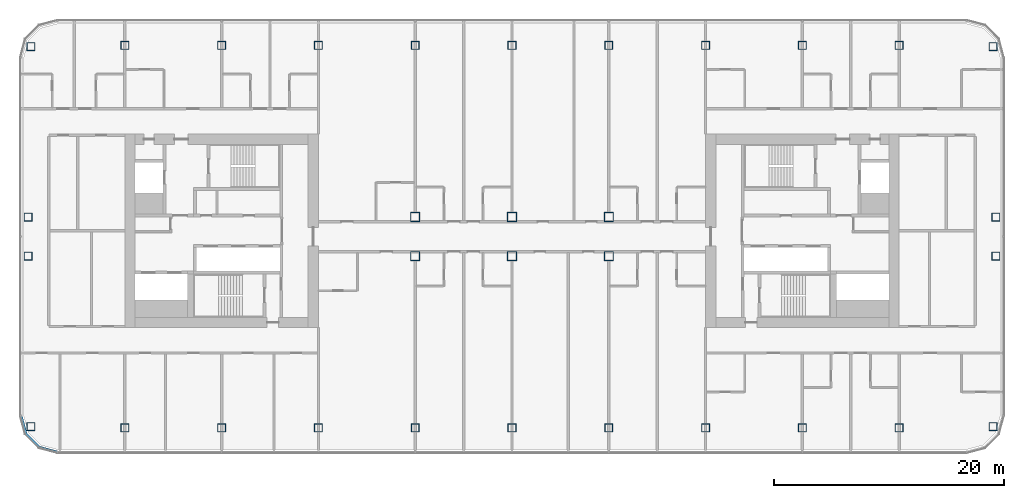
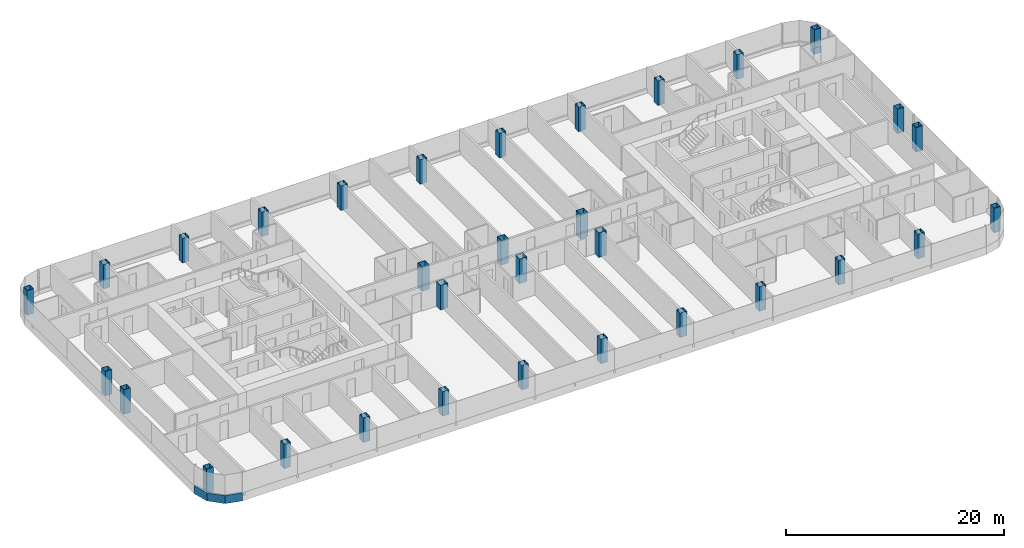
# One storey, part 1 of 26: 32 columns, 1 member, 1 element without a shape of its own.
"""IFC4 building model written with IfcOpenShell, lengths in metres."""

import ifcopenshell
import ifcopenshell.guid

model = None  # the IFC model being written
_history = None  # IfcOwnerHistory: only IFC2X3 demands one
_inside = {}  # id of a spatial element -> (the spatial element, [elements in it])
_under = {}  # id of a project, library or spatial element -> (it, [spatial elements below it])
_declared = {}  # id of a project -> (the project, [libraries it declares])
_typed = {}  # id of a type object -> (the type object, [elements of that type])
_made_of = {}  # id of a material, layer set ... -> (it, [elements and type objects made of it])


def new_model(schema):
    """Start an empty IFC model of exactly this schema.

    Asked for "IFC4X3", IfcOpenShell would pick the latest addendum, in which some entities
    have other attributes; the version numbers below select the first issue.
    IFC2X3 requires an IfcOwnerHistory on every rooted entity: one is made here for all.
    """
    global model, _history
    if schema == "IFC4X3":
        model = ifcopenshell.file(schema_version=(4, 3, 0, 0))
    else:
        model = ifcopenshell.file(schema=schema)
    _inside.clear()
    _under.clear()
    _declared.clear()
    _typed.clear()
    _made_of.clear()
    _history = None
    if model.schema == "IFC2X3":
        org = make("IfcOrganization", Name="unknown")
        user = make(
            "IfcPersonAndOrganization",
            ThePerson=make("IfcPerson", FamilyName="unknown"),
            TheOrganization=org,
        )
        app = make(
            "IfcApplication",
            ApplicationDeveloper=org,
            Version="unknown",
            ApplicationFullName="unknown",
            ApplicationIdentifier="unknown",
        )
        _history = make(
            "IfcOwnerHistory",
            OwningUser=user,
            OwningApplication=app,
            ChangeAction="ADDED",
            CreationDate=0,
        )
    return model


def make(cls, **values):
    """One entity of the class cls with the attributes given. An attribute that is None is left unset."""
    return model.create_entity(
        cls, **{name: value for name, value in values.items() if value is not None}
    )


def rooted(cls, **values):
    """An entity with a GlobalId (a new one), such as an element, a storey or a relation."""
    return make(cls, GlobalId=ifcopenshell.guid.new(), OwnerHistory=_history, **values)


def si_unit(unit_type, name, prefix=None):
    """IfcSIUnit, for example si_unit("LENGTHUNIT", "METRE", prefix="MILLI")."""
    return make("IfcSIUnit", UnitType=unit_type, Prefix=prefix, Name=name)


def assignment(units):
    """IfcUnitAssignment: the units of a project."""
    return None if units is None else make("IfcUnitAssignment", Units=units)


def point(xyz):
    """IfcCartesianPoint."""
    return None if xyz is None else make("IfcCartesianPoint", Coordinates=xyz)


def direction(xyz):
    """IfcDirection."""
    return None if xyz is None else make("IfcDirection", DirectionRatios=xyz)


def frame(location, z_axis=None, x_axis=None):
    """IfcAxis2Placement3D, a coordinate frame: its origin and axes. An axis left out is left unset."""
    return make(
        "IfcAxis2Placement3D",
        Location=point(location),
        Axis=direction(z_axis),
        RefDirection=direction(x_axis),
    )


def frame_2d(location, x_axis=None):
    """IfcAxis2Placement2D, a coordinate frame in the plane: its origin and x axis."""
    return make(
        "IfcAxis2Placement2D", Location=point(location), RefDirection=direction(x_axis)
    )


def origin():
    """The frame at (0, 0, 0) with its axes left unset."""
    return frame((0.0, 0.0, 0.0))


def origin_2d():
    """The frame at (0, 0) in the plane with its x axis left unset."""
    return frame_2d((0.0, 0.0))


def place(relative_to, where):
    """IfcLocalPlacement: puts the frame where relative to a parent placement (None: the world)."""
    return make(
        "IfcLocalPlacement", PlacementRelTo=relative_to, RelativePlacement=where
    )


def context(
    kind, dimensions, precision=None, world=None, true_north=None, identifier=None
):
    """IfcGeometricRepresentationContext, for example the 3D "Model" context."""
    return make(
        "IfcGeometricRepresentationContext",
        ContextIdentifier=identifier,
        ContextType=kind,
        CoordinateSpaceDimension=dimensions,
        Precision=precision,
        WorldCoordinateSystem=world,
        TrueNorth=true_north,
    )


def subcontext(parent, identifier, kind, view, scale=None):
    """IfcGeometricRepresentationSubContext, for example "Body" below "Model"."""
    return make(
        "IfcGeometricRepresentationSubContext",
        ContextIdentifier=identifier,
        ContextType=kind,
        ParentContext=parent,
        TargetScale=scale,
        TargetView=view,
    )


def project(units=None, contexts=None):
    """IfcProject with its units and contexts."""
    return rooted(
        "IfcProject",
        Name="project",
        RepresentationContexts=contexts,
        UnitsInContext=assignment(units),
    )


def spatial(cls, under=None, at=None, **own):
    """A site, building, storey or space (cls), placed at a placement, below another one or the project."""
    s = rooted(cls, ObjectPlacement=at, **own)
    if under is not None:
        _under.setdefault(under.id(), (under, []))[1].append(s)
    return s


def polyline(points):
    """IfcPolyline through the points."""
    return make("IfcPolyline", Points=[point(p) for p in points])


def profile(cls, at=None, kind="AREA", **sizes):
    """A parametric profile (cls). Its sizes go by their IFC names, for example OverallWidth=200.0."""
    return make(cls, ProfileType=kind, Position=at, **sizes)


def rectangle(**sizes):
    """IfcRectangleProfileDef."""
    return profile("IfcRectangleProfileDef", **sizes)


def hollow_rectangle(**sizes):
    """IfcRectangleHollowProfileDef."""
    return profile("IfcRectangleHollowProfileDef", **sizes)


def outline(outer, holes=None, kind="AREA"):
    """IfcArbitraryClosedProfileDef: a profile drawn as a closed curve; with holes, ...WithVoids."""
    if holes is None:
        return make("IfcArbitraryClosedProfileDef", ProfileType=kind, OuterCurve=outer)
    return make(
        "IfcArbitraryProfileDefWithVoids",
        ProfileType=kind,
        OuterCurve=outer,
        InnerCurves=holes,
    )


def extrude(swept, where, along, depth):
    """IfcExtrudedAreaSolid: the profile swept, set in the frame where, extruded along a direction by depth."""
    return make(
        "IfcExtrudedAreaSolid",
        SweptArea=swept,
        Position=where,
        ExtrudedDirection=direction(along),
        Depth=depth,
    )


def shape(context_of_items, identifier, shape_type, items):
    """IfcShapeRepresentation: the items that make up one representation, for example the "Body"."""
    return make(
        "IfcShapeRepresentation",
        ContextOfItems=context_of_items,
        RepresentationIdentifier=identifier,
        RepresentationType=shape_type,
        Items=items,
    )


def material(Name=None, Category=None):
    """IfcMaterial."""
    return make("IfcMaterial", Name=Name, Category=Category)


def layer(
    of_material, thickness, ventilated=None, Name=None, Category=None, Priority=None
):
    """IfcMaterialLayer: one layer of a wall or slab, of a material (None: an air gap)."""
    return make(
        "IfcMaterialLayer",
        Material=of_material,
        LayerThickness=thickness,
        IsVentilated=ventilated,
        Name=Name,
        Category=Category,
        Priority=Priority,
    )


def layer_set(layers, Name=None):
    """IfcMaterialLayerSet."""
    return make("IfcMaterialLayerSet", MaterialLayers=layers, LayerSetName=Name)


def material_profile(
    of_material, cross_section, Name=None, Category=None, Priority=None
):
    """IfcMaterialProfile: a cross section and its material."""
    return make(
        "IfcMaterialProfile",
        Name=Name,
        Material=of_material,
        Profile=cross_section,
        Priority=Priority,
        Category=Category,
    )


def profile_set(profiles, Name=None, composite=None):
    """IfcMaterialProfileSet."""
    return make(
        "IfcMaterialProfileSet",
        Name=Name,
        MaterialProfiles=profiles,
        CompositeProfile=composite,
    )


def made_of(thing, what):
    """Note that an element or type object is made of a material, layer set ...; save() writes the relation."""
    if what is not None:
        _made_of.setdefault(what.id(), (what, []))[1].append(thing)
    return thing


def type_object(cls, material=None, **own):
    """A type object (cls), such as IfcWallType, which elements share."""
    return made_of(rooted(cls, **own), material)


def element(
    cls,
    number,
    at=None,
    inside=None,
    cuts=None,
    type_object=None,
    material=None,
    context=None,
    identifier="Body",
    shape_type=None,
    held_by="IfcProductDefinitionShape",
    body=None,
    shapes=None,
    **own,
):
    """One element of the class cls, such as IfcWall. Its Tag is "e" and its number.

    at: its placement. inside: the storey or other place that contains it. cuts: it is an
    opening in that element (IfcRelVoidsElement). A single representation is given by context,
    identifier, shape_type and body (its items); several are given by shapes. held_by: the class
    of the entity that holds the representations. save() writes the other relations.
    """
    e = rooted(cls, Tag="e%d" % number, ObjectPlacement=at, **own)
    if body is not None:
        shapes = [shape(context, identifier, shape_type, body)]
    if shapes is not None:
        e.Representation = make(held_by, Representations=shapes)
    if inside is not None:
        _inside.setdefault(inside.id(), (inside, []))[1].append(e)
    if cuts is not None:
        rooted(
            "IfcRelVoidsElement", RelatingBuildingElement=cuts, RelatedOpeningElement=e
        )
    if type_object is not None:
        _typed.setdefault(type_object.id(), (type_object, []))[1].append(e)
    return made_of(e, material)


def aggregate(whole, parts):
    """IfcRelAggregates: a whole, such as a stair, and the parts it consists of."""
    return rooted("IfcRelAggregates", RelatingObject=whole, RelatedObjects=parts)


def save(model, path):
    """Write the relations noted so far, then the file.

    IfcRelAggregates (storeys below a building ...), IfcRelContainedInSpatialStructure (elements
    in a storey), IfcRelDefinesByType, IfcRelAssociatesMaterial and IfcRelDeclares: one each for
    every whole, place, type object, material and project.
    """
    for whole, parts in _under.values():
        aggregate(whole, parts)
    for where, things in _inside.values():
        rooted(
            "IfcRelContainedInSpatialStructure",
            RelatedElements=things,
            RelatingStructure=where,
        )
    for kind, things in _typed.values():
        rooted("IfcRelDefinesByType", RelatedObjects=things, RelatingType=kind)
    for what, things in _made_of.values():
        rooted("IfcRelAssociatesMaterial", RelatedObjects=things, RelatingMaterial=what)
    for by, libraries in _declared.values():
        rooted("IfcRelDeclares", RelatingContext=by, RelatedDefinitions=libraries)
    model.write(path)


model = new_model("IFC4")

# Units and contexts
model_context = context("Model", 3, precision=1e-05, world=origin(), true_north=direction((0.0, 1.0)))
body_context = subcontext(model_context, "Body", "Model", "MODEL_VIEW")
ifc_project = project(units=[si_unit("LENGTHUNIT", "METRE"), si_unit("AREAUNIT", "SQUARE_METRE"), si_unit("VOLUMEUNIT", "CUBIC_METRE"), si_unit("PLANEANGLEUNIT", "RADIAN"), si_unit("MASSUNIT", "GRAM", prefix="KILO")], contexts=[model_context])

# Site, building, storey
site_placement = place(None, origin())
site = spatial("IfcSite", under=ifc_project, at=site_placement, CompositionType="ELEMENT")
building_placement = place(site_placement, origin())
building = spatial("IfcBuilding", under=site, at=building_placement, Name="Hakoniwa Tower and Hamabe Station Hall", CompositionType="ELEMENT")
storey_placement = place(building_placement, frame((0.0, 0.0, 169.39990234375)))
storey = spatial("IfcBuildingStorey", under=building, at=storey_placement, Name="L48", CompositionType="ELEMENT", Elevation=169.39990234375)

# Columns
ifc_material_1 = material(Name="Steel SN490C", Category="steel")
ifc_material_profile_1 = material_profile(ifc_material_1, hollow_rectangle(XDim=0.699951171875, YDim=0.699951171875, WallThickness=0.028076171875, at=origin_2d()), Name="BX-700x700x28")
ifc_profile_set_1 = profile_set([ifc_material_profile_1], Name="Steel SN490C")
column_type_1 = type_object("IfcColumnType", Name="COLUMN BX-700x700x28", PredefinedType="COLUMN", material=ifc_profile_set_1)
for number, where, z_axis, x_axis, name in (
    (1, (-41.74853515625, -16.99365234375, 0.0), (0.0, 0.0, 1.0), (1.0, 0.0, 0.0), "Column B3-2-A3"),
    (2, (-42.0, -2.199951171875, 0.0), (0.0, 0.0, 1.0), (1.0, 0.0, 0.0), "Column B3-2-C3"),
    (3, (-42.0, 1.199951171875, 0.0), (0.0, 0.0, 1.0), (1.0, 0.0, 0.0), "Column B3-2-D3"),
    (4, (-41.74853515625, 15.99365234375, 0.0), (0.0, 0.0, 1.0), (1.0, 0.0, 0.0), "Column B3-2-F3"),
    (5, (-33.60009765625, -17.10009765625, 0.0), (0.0, 0.0, 1.0), (1.0, 0.0, 0.0), "Column B3-3-A3"),
    (6, (-33.60009765625, 16.10009765625, 0.0), (0.0, 0.0, 1.0), (1.0, 0.0, 0.0), "Column B3-3-F3"),
    (7, (-25.199951171875, -17.10009765625, 0.0), (0.0, 0.0, 1.0), (1.0, 0.0, 0.0), "Column B3-4-A3"),
    (8, (-25.199951171875, 16.10009765625, 0.0), (0.0, 0.0, 1.0), (1.0, 0.0, 0.0), "Column B3-4-F3"),
    (9, (-16.800048828125, -17.10009765625, 0.0), (0.0, 0.0, 1.0), (1.0, 0.0, 0.0), "Column B3-5-A3"),
    (10, (-16.800048828125, 16.10009765625, 0.0), (0.0, 0.0, 1.0), (1.0, 0.0, 0.0), "Column B3-5-F3"),
    (11, (-8.39990234375, -17.10009765625, 0.0), (0.0, 0.0, 1.0), (1.0, 0.0, 0.0), "Column B3-6-A3"),
    (12, (-8.39990234375, 16.10009765625, 0.0), (0.0, 0.0, 1.0), (1.0, 0.0, 0.0), "Column B3-6-F3"),
    (13, (0.0, -17.10009765625, 0.0), (0.0, 0.0, 1.0), (1.0, 0.0, 0.0), "Column B3-7-A3"),
    (14, (0.0, 16.10009765625, 0.0), (0.0, 0.0, 1.0), (1.0, 0.0, 0.0), "Column B3-7-F3"),
    (15, (8.39990234375, -17.10009765625, 0.0), (0.0, 0.0, 1.0), (1.0, 0.0, 0.0), "Column B3-8-A3"),
    (16, (8.39990234375, 16.10009765625, 0.0), (0.0, 0.0, 1.0), (1.0, 0.0, 0.0), "Column B3-8-F3"),
    (17, (16.800048828125, -17.10009765625, 0.0), (0.0, 0.0, 1.0), (1.0, 0.0, 0.0), "Column B3-9-A3"),
    (18, (16.800048828125, 16.10009765625, 0.0), (0.0, 0.0, 1.0), (1.0, 0.0, 0.0), "Column B3-9-F3"),
    (19, (25.199951171875, -17.10009765625, 0.0), (0.0, 0.0, 1.0), (1.0, 0.0, 0.0), "Column B3-10-A3"),
    (20, (25.199951171875, 16.10009765625, 0.0), (0.0, 0.0, 1.0), (1.0, 0.0, 0.0), "Column B3-10-F3"),
    (21, (33.60009765625, -17.10009765625, 0.0), (0.0, 0.0, 1.0), (1.0, 0.0, 0.0), "Column B3-11-A3"),
    (22, (33.60009765625, 16.10009765625, 0.0), (0.0, 0.0, 1.0), (1.0, 0.0, 0.0), "Column B3-11-F3"),
    (23, (41.74853515625, -16.99365234375, 0.0), (0.0, 0.0, 1.0), (1.0, 0.0, 0.0), "Column B3-12-A3"),
    (24, (42.0, -2.199951171875, 0.0), (0.0, 0.0, 1.0), (1.0, 0.0, 0.0), "Column B3-12-C3"),
    (25, (42.0, 1.199951171875, 0.0), (0.0, 0.0, 1.0), (1.0, 0.0, 0.0), "Column B3-12-D3"),
    (26, (41.74853515625, 15.99365234375, 0.0), (0.0, 0.0, 1.0), (1.0, 0.0, 0.0), "Column B3-12-F3"),
):
    element("IfcColumn", number, at=place(storey_placement, frame(where, z_axis=z_axis, x_axis=x_axis)), inside=storey, type_object=column_type_1, Name=name, PredefinedType="COLUMN", context=body_context, shape_type="SweptSolid", body=[
        extrude(hollow_rectangle(XDim=0.699951171875, YDim=0.699951171875, WallThickness=0.028076171875, at=origin_2d()), origin(), (0.0, 0.0, 1.0), 2.75),
    ])
ifc_material_2 = material(Name="Steel SN490C", Category="steel")
ifc_material_profile_2 = material_profile(ifc_material_2, hollow_rectangle(XDim=0.800048828125, YDim=0.800048828125, WallThickness=0.031982421875, at=origin_2d()), Name="BX-800x800x32")
ifc_profile_set_2 = profile_set([ifc_material_profile_2], Name="Steel SN490C")
column_type_2 = type_object("IfcColumnType", Name="COLUMN BX-800x800x32", PredefinedType="COLUMN", material=ifc_profile_set_2)
for number, where, z_axis, x_axis, name in (
    (27, (-8.39990234375, -2.199951171875, 0.0), (0.0, 0.0, 1.0), (1.0, 0.0, 0.0), "Column B3-6-C3"),
    (28, (-8.39990234375, 1.199951171875, 0.0), (0.0, 0.0, 1.0), (1.0, 0.0, 0.0), "Column B3-6-D3"),
    (29, (0.0, -2.199951171875, 0.0), (0.0, 0.0, 1.0), (1.0, 0.0, 0.0), "Column B3-7-C3"),
    (30, (0.0, 1.199951171875, 0.0), (0.0, 0.0, 1.0), (1.0, 0.0, 0.0), "Column B3-7-D3"),
    (31, (8.39990234375, -2.199951171875, 0.0), (0.0, 0.0, 1.0), (1.0, 0.0, 0.0), "Column B3-8-C3"),
    (32, (8.39990234375, 1.199951171875, 0.0), (0.0, 0.0, 1.0), (1.0, 0.0, 0.0), "Column B3-8-D3"),
):
    element("IfcColumn", number, at=place(storey_placement, frame(where, z_axis=z_axis, x_axis=x_axis)), inside=storey, type_object=column_type_2, Name=name, PredefinedType="COLUMN", context=body_context, shape_type="SweptSolid", body=[
        extrude(hollow_rectangle(XDim=0.800048828125, YDim=0.800048828125, WallThickness=0.031982421875, at=origin_2d()), origin(), (0.0, 0.0, 1.0), 2.75),
    ])

# Curtain wall, member
ifc_material_3 = material(Name="Dark low-e laminated glass", Category="glass")
ifc_layer = layer(ifc_material_3, 0.199951171875)
ifc_layer_set = layer_set([ifc_layer], Name="CW-1 UNITISED GUEST")
curtain_wall_type = type_object("IfcCurtainWallType", Name="CW-1 UNITISED GUEST", PredefinedType="NOTDEFINED", material=ifc_layer_set)
curtain_wall_placement = place(storey_placement, origin())
curtain_wall = element("IfcCurtainWall", 33, at=curtain_wall_placement, inside=storey, type_object=curtain_wall_type, Name="CW-1 curtain wall", PredefinedType="NOTDEFINED")
ifc_material_4 = material(Name="Aluminium 6063-T5 black anodised", Category="aluminium")
ifc_material_profile_3 = material_profile(ifc_material_4, rectangle(XDim=0.199951171875, YDim=0.89990234375, at=origin_2d()), Name="CW SLAB-EDGE BAND 900X200")
ifc_profile_set_3 = profile_set([ifc_material_profile_3], Name="Aluminium 6063-T5 black anodised")
member_type = type_object("IfcMemberType", Name="CW SLAB-EDGE BAND 900X200", PredefinedType="USERDEFINED", material=ifc_profile_set_3)
member_placement = place(storey_placement, frame((0.0, 0.0, -0.5498046875)))
member = element("IfcMember", 34, at=member_placement, type_object=member_type, Name="CW-1 transom", ObjectType="TRANSOM", PredefinedType="USERDEFINED", context=body_context, shape_type="SweptSolid", body=[
    extrude(outline(polyline([(-42.699951171875, -16.03955078125), (-42.26708984375, -17.6552734375), (-41.05517578125, -18.866943359375), (-39.439453125, -19.300048828125), (-39.3876953125, -19.10693359375), (-40.95166015625, -18.687744140625), (-42.087646484375, -17.5517578125), (-42.5068359375, -15.98779296875), (-42.699951171875, -16.03955078125)])), origin(), (0.0, 0.0, 1.0), 0.89990234375),
])
aggregate(curtain_wall, [member])

save(model, "model.ifc")
